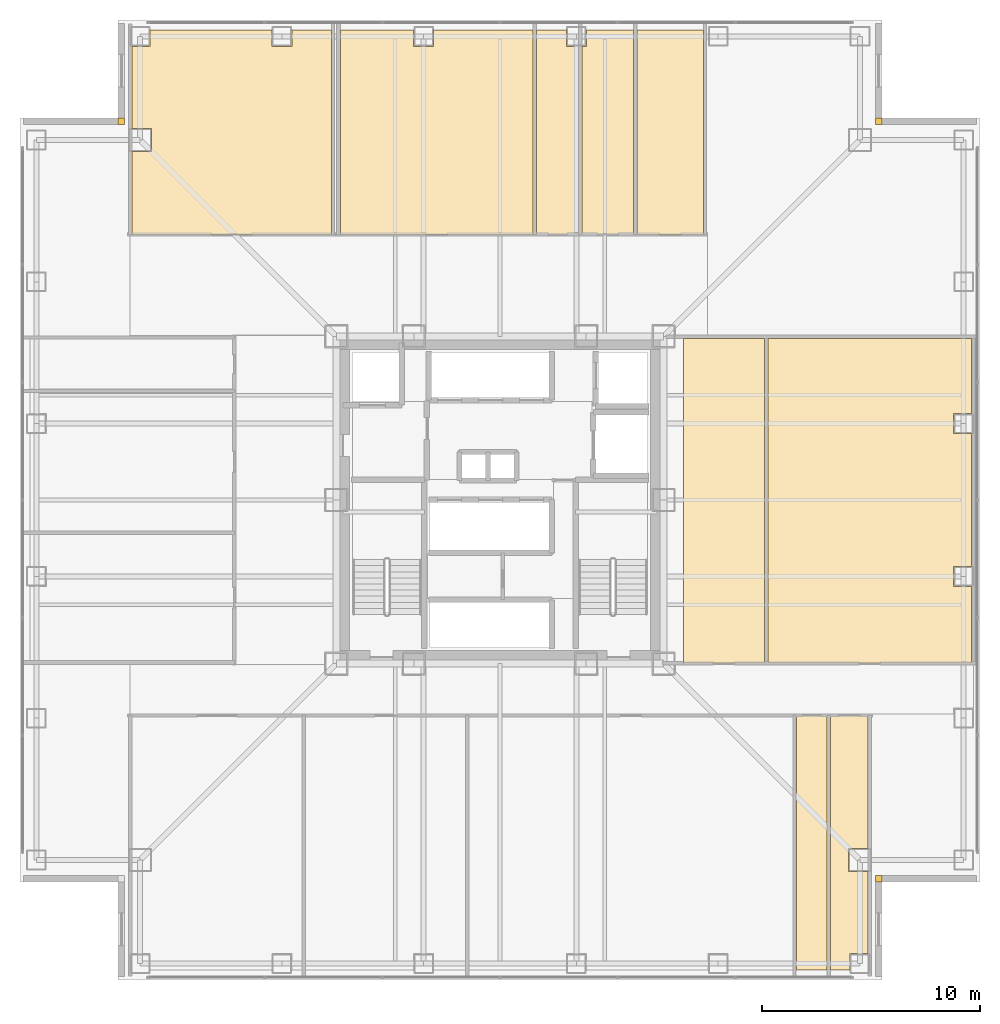
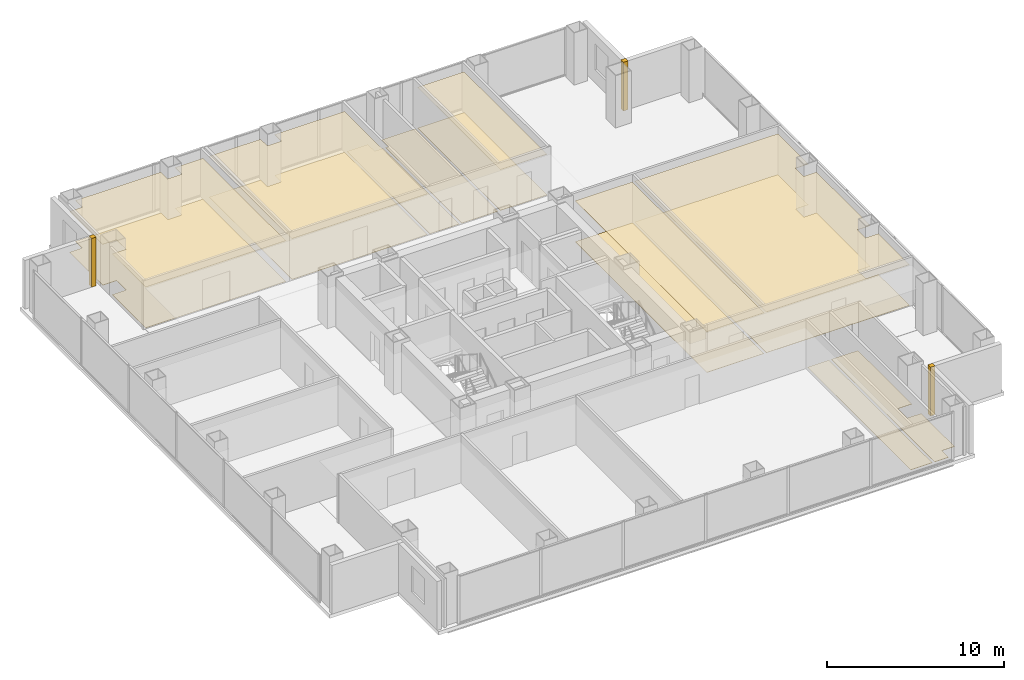
# One storey, part 14 of 14: 17 coverings.
"""IFC4 building model written with IfcOpenShell, lengths in metres."""

from ifc_helpers import new_model, si_unit, direction, frame, origin, place, context, subcontext, project, spatial, polyline, outline, extrude, material, layer, layer_set, type_object, element, save


model = new_model("IFC4")

# Units and contexts
model_context = context("Model", 3, precision=1e-05, world=origin(), true_north=direction((0.0, 1.0)))
body_context = subcontext(model_context, "Body", "Model", "MODEL_VIEW")
ifc_project = project(units=[si_unit("LENGTHUNIT", "METRE"), si_unit("AREAUNIT", "SQUARE_METRE"), si_unit("VOLUMEUNIT", "CUBIC_METRE"), si_unit("PLANEANGLEUNIT", "RADIAN"), si_unit("MASSUNIT", "GRAM", prefix="KILO")], contexts=[model_context])

# Site, building, storey
site_placement = place(None, origin())
site = spatial("IfcSite", under=ifc_project, at=site_placement, CompositionType="ELEMENT")
building_placement = place(site_placement, origin())
building = spatial("IfcBuilding", under=site, at=building_placement, Name="Trevonay Congress Spire", CompositionType="ELEMENT")
storey_placement = place(building_placement, frame((0.0, 0.0, 97.60009765625)))
storey = spatial("IfcBuildingStorey", under=building, at=storey_placement, Name="L24", CompositionType="ELEMENT", Elevation=97.60009765625)

# Coverings
ifc_material_1 = material(Name="Acoustic Mineral Fibre Board", Category="gypsum")
ifc_layer_1 = layer(ifc_material_1, 0.02490234375, Name="Acoustic Mineral Fibre Board")
ifc_layer_set_1 = layer_set([ifc_layer_1], Name="Acoustic Mineral Fibre Board")
covering_type_1 = type_object("IfcCoveringType", Name="COV-CEIL-ACOUSTIC", PredefinedType="CEILING", material=ifc_layer_set_1)
covering_1_placement = place(storey_placement, frame((0.0, 0.0, 2.809814453125)))
element("IfcCovering", 1, at=covering_1_placement, inside=storey, type_object=covering_type_1, Name="L24 Treaty Seminar Salon North-West acoustic suspended ceiling", PredefinedType="CEILING", context=body_context, shape_type="SweptSolid", body=[
    extrude(outline(polyline([(-7.72998046875, 21.550048828125), (-7.72998046875, 12.179931640625), (-16.8701171875, 12.179931640625), (-16.8701171875, 15.965087890625), (-15.965087890625, 15.965087890625), (-15.965087890625, 17.034912109375), (-16.8701171875, 17.034912109375), (-16.8701171875, 20.7900390625), (-16.0400390625, 20.7900390625), (-16.0400390625, 21.550048828125), (-10.4599609375, 21.550048828125), (-10.4599609375, 20.7900390625), (-9.5400390625, 20.7900390625), (-9.5400390625, 21.550048828125), (-7.72998046875, 21.550048828125)])), origin(), (0.0, 0.0, 1.0), 0.025146484375),
])
covering_2_placement = place(storey_placement, frame((0.0, 0.0, 2.809814453125)))
element("IfcCovering", 2, at=covering_2_placement, inside=storey, type_object=covering_type_1, Name="L24 North-East Policy Research Studio acoustic suspended ceiling", PredefinedType="CEILING", context=body_context, shape_type="SweptSolid", body=[
    extrude(outline(polyline([(1.52001953125, 21.550048828125), (1.52001953125, 12.179931640625), (-7.320068359375, 12.179931640625), (-7.320068359375, 21.550048828125), (-3.9599609375, 21.550048828125), (-3.9599609375, 20.7900390625), (-3.0400390625, 20.7900390625), (-3.0400390625, 21.550048828125), (1.52001953125, 21.550048828125)])), origin(), (0.0, 0.0, 1.0), 0.025146484375),
])
covering_3_placement = place(storey_placement, frame((0.0, 0.0, 2.809814453125)))
element("IfcCovering", 3, at=covering_3_placement, inside=storey, type_object=covering_type_1, Name="L24 Tea Pantry acoustic suspended ceiling", PredefinedType="CEILING", context=body_context, shape_type="SweptSolid", body=[
    extrude(outline(polyline([(6.280029296875, 12.179931640625), (9.320068359375, 12.179931640625), (9.320068359375, 21.550048828125), (6.280029296875, 21.550048828125), (6.280029296875, 12.179931640625)])), origin(), (0.0, 0.0, 1.0), 0.025146484375),
])
covering_4_placement = place(storey_placement, frame((0.0, 0.0, 2.809814453125)))
element("IfcCovering", 4, at=covering_4_placement, inside=storey, type_object=covering_type_1, Name="L24 East Diplomatic Briefing Room acoustic suspended ceiling", PredefinedType="CEILING", context=body_context, shape_type="SweptSolid", body=[
    extrude(outline(polyline([(8.39990234375, -7.47998046875), (12.1201171875, -7.47998046875), (12.1201171875, 7.39990234375), (8.39990234375, 7.39990234375), (8.39990234375, -7.47998046875)])), origin(), (0.0, 0.0, 1.0), 0.025146484375),
])
covering_5_placement = place(storey_placement, frame((0.0, 0.0, 2.809814453125)))
element("IfcCovering", 5, at=covering_5_placement, inside=storey, type_object=covering_type_1, Name="L24 Document Print Office acoustic suspended ceiling", PredefinedType="CEILING", context=body_context, shape_type="SweptSolid", body=[
    extrude(outline(polyline([(21.6201171875, -7.47998046875), (12.280029296875, -7.47998046875), (12.280029296875, 7.39990234375), (21.6201171875, 7.39990234375), (21.6201171875, 3.9599609375), (20.7900390625, 3.9599609375), (20.7900390625, 3.0400390625), (21.6201171875, 3.0400390625), (21.6201171875, -3.0400390625), (20.7900390625, -3.0400390625), (20.7900390625, -3.9599609375), (21.6201171875, -3.9599609375), (21.6201171875, -7.47998046875)])), origin(), (0.0, 0.0, 1.0), 0.025146484375),
])
ifc_material_2 = material(Name="Polished Granite Floor Tile", Category="masonry")
ifc_layer_2 = layer(ifc_material_2, 0.02001953125, Name="Polished Granite Floor Tile")
ifc_layer_set_2 = layer_set([ifc_layer_2], Name="Polished Granite Floor Tile")
covering_type_2 = type_object("IfcCoveringType", Name="COV-FLOOR-STONE", PredefinedType="FLOORING", material=ifc_layer_set_2)
covering_6_placement = place(storey_placement, origin())
element("IfcCovering", 6, at=covering_6_placement, inside=storey, type_object=covering_type_2, Name="L24 Accessible WC floor finish", PredefinedType="FLOORING", context=body_context, shape_type="SweptSolid", body=[
    extrude(outline(polyline([(13.580078125, -21.550048828125), (14.97998046875, -21.550048828125), (14.97998046875, -9.8798828125), (13.580078125, -9.8798828125), (13.580078125, -21.550048828125)])), origin(), (0.0, 0.0, 1.0), 0.02001953125),
])
covering_7_placement = place(storey_placement, origin())
element("IfcCovering", 7, at=covering_7_placement, inside=storey, type_object=covering_type_2, Name="L24 Floor Supplies and Copy Room floor finish", PredefinedType="FLOORING", context=body_context, shape_type="SweptSolid", body=[
    extrude(outline(polyline([(15.139892578125, -21.550048828125), (15.139892578125, -9.8798828125), (16.8701171875, -9.8798828125), (16.8701171875, -15.965087890625), (15.965087890625, -15.965087890625), (15.965087890625, -17.034912109375), (16.8701171875, -17.034912109375), (16.8701171875, -20.7900390625), (16.0400390625, -20.7900390625), (16.0400390625, -21.550048828125), (15.139892578125, -21.550048828125)])), origin(), (0.0, 0.0, 1.0), 0.02001953125),
])
covering_8_placement = place(storey_placement, origin())
element("IfcCovering", 8, at=covering_8_placement, inside=storey, type_object=covering_type_2, Name="L24 Female Restroom WC floor finish", PredefinedType="FLOORING", context=body_context, shape_type="SweptSolid", body=[
    extrude(outline(polyline([(3.60009765625, 12.179931640625), (1.679931640625, 12.179931640625), (1.679931640625, 21.550048828125), (3.0400390625, 21.550048828125), (3.0400390625, 20.7900390625), (3.60009765625, 20.7900390625), (3.60009765625, 12.179931640625)])), origin(), (0.0, 0.0, 1.0), 0.02001953125),
])
covering_9_placement = place(storey_placement, origin())
element("IfcCovering", 9, at=covering_9_placement, inside=storey, type_object=covering_type_2, Name="L24 Floor Supplies and Copy Room floor finish", PredefinedType="FLOORING", context=body_context, shape_type="SweptSolid", body=[
    extrude(outline(polyline([(6.1201171875, 21.550048828125), (6.1201171875, 12.179931640625), (3.760009765625, 12.179931640625), (3.760009765625, 20.7900390625), (3.9599609375, 20.7900390625), (3.9599609375, 21.550048828125), (6.1201171875, 21.550048828125)])), origin(), (0.0, 0.0, 1.0), 0.02001953125),
])
covering_10_placement = place(storey_placement, origin())
element("IfcCovering", 10, at=covering_10_placement, inside=storey, type_object=covering_type_2, Name="L24 Tea Pantry floor finish", PredefinedType="FLOORING", context=body_context, shape_type="SweptSolid", body=[
    extrude(outline(polyline([(6.280029296875, 12.179931640625), (9.320068359375, 12.179931640625), (9.320068359375, 21.550048828125), (6.280029296875, 21.550048828125), (6.280029296875, 12.179931640625)])), origin(), (0.0, 0.0, 1.0), 0.02001953125),
])
ifc_material_3 = material(Name="Engineered Oak Flooring", Category="wood")
ifc_layer_3 = layer(ifc_material_3, 0.01806640625, Name="Engineered Oak Flooring")
ifc_layer_set_3 = layer_set([ifc_layer_3], Name="Engineered Oak Flooring")
covering_type_3 = type_object("IfcCoveringType", Name="COV-FLOOR-TIMBER", PredefinedType="FLOORING", material=ifc_layer_set_3)
covering_11_placement = place(storey_placement, origin())
element("IfcCovering", 11, at=covering_11_placement, inside=storey, type_object=covering_type_3, Name="L24 Treaty Seminar Salon North-West floor finish", PredefinedType="FLOORING", context=body_context, shape_type="SweptSolid", body=[
    extrude(outline(polyline([(-7.72998046875, 21.550048828125), (-7.72998046875, 12.179931640625), (-16.8701171875, 12.179931640625), (-16.8701171875, 15.965087890625), (-15.965087890625, 15.965087890625), (-15.965087890625, 17.034912109375), (-16.8701171875, 17.034912109375), (-16.8701171875, 20.7900390625), (-16.0400390625, 20.7900390625), (-16.0400390625, 21.550048828125), (-10.4599609375, 21.550048828125), (-10.4599609375, 20.7900390625), (-9.5400390625, 20.7900390625), (-9.5400390625, 21.550048828125), (-7.72998046875, 21.550048828125)])), origin(), (0.0, 0.0, 1.0), 0.017822265625),
])
covering_12_placement = place(storey_placement, origin())
element("IfcCovering", 12, at=covering_12_placement, inside=storey, type_object=covering_type_3, Name="L24 North-East Policy Research Studio floor finish", PredefinedType="FLOORING", context=body_context, shape_type="SweptSolid", body=[
    extrude(outline(polyline([(1.52001953125, 21.550048828125), (1.52001953125, 12.179931640625), (-7.320068359375, 12.179931640625), (-7.320068359375, 21.550048828125), (-3.9599609375, 21.550048828125), (-3.9599609375, 20.7900390625), (-3.0400390625, 20.7900390625), (-3.0400390625, 21.550048828125), (1.52001953125, 21.550048828125)])), origin(), (0.0, 0.0, 1.0), 0.017822265625),
])
covering_13_placement = place(storey_placement, origin())
element("IfcCovering", 13, at=covering_13_placement, inside=storey, type_object=covering_type_3, Name="L24 East Diplomatic Briefing Room floor finish", PredefinedType="FLOORING", context=body_context, shape_type="SweptSolid", body=[
    extrude(outline(polyline([(8.39990234375, -7.47998046875), (12.1201171875, -7.47998046875), (12.1201171875, 7.39990234375), (8.39990234375, 7.39990234375), (8.39990234375, -7.47998046875)])), origin(), (0.0, 0.0, 1.0), 0.017822265625),
])
covering_14_placement = place(storey_placement, origin())
element("IfcCovering", 14, at=covering_14_placement, inside=storey, type_object=covering_type_3, Name="L24 Document Print Office floor finish", PredefinedType="FLOORING", context=body_context, shape_type="SweptSolid", body=[
    extrude(outline(polyline([(21.6201171875, -7.47998046875), (12.280029296875, -7.47998046875), (12.280029296875, 7.39990234375), (21.6201171875, 7.39990234375), (21.6201171875, 3.9599609375), (20.7900390625, 3.9599609375), (20.7900390625, 3.0400390625), (21.6201171875, 3.0400390625), (21.6201171875, -3.0400390625), (20.7900390625, -3.0400390625), (20.7900390625, -3.9599609375), (21.6201171875, -3.9599609375), (21.6201171875, -7.47998046875)])), origin(), (0.0, 0.0, 1.0), 0.017822265625),
])
ifc_material_4 = material(Name="Pale Anodised Aluminium EN AW-6063-T6", Category="aluminium")
ifc_layer_4 = layer(ifc_material_4, 0.0400390625, Name="Pale Anodised Aluminium EN AW-6063-T6")
ifc_layer_set_4 = layer_set([ifc_layer_4], Name="Pale Anodised Aluminium EN AW-6063-T6")
covering_type_4 = type_object("IfcCoveringType", Name="COV-SPANDREL-PALE-METAL", PredefinedType="CLADDING", material=ifc_layer_set_4)
covering_15_placement = place(storey_placement, origin())
element("IfcCovering", 15, at=covering_15_placement, inside=storey, type_object=covering_type_4, Name="L24 SE re-entrant notch corner closure trim", PredefinedType="CLADDING", context=body_context, shape_type="SweptSolid", body=[
    extrude(outline(polyline([(17.199951171875, -17.5), (17.5, -17.5), (17.5, -17.199951171875), (17.199951171875, -17.199951171875), (17.199951171875, -17.5)])), origin(), (0.0, 0.0, 1.0), 3.35986328125),
])
covering_16_placement = place(storey_placement, origin())
element("IfcCovering", 16, at=covering_16_placement, inside=storey, type_object=covering_type_4, Name="L24 NE re-entrant notch corner closure trim", PredefinedType="CLADDING", context=body_context, shape_type="SweptSolid", body=[
    extrude(outline(polyline([(17.199951171875, 17.199951171875), (17.5, 17.199951171875), (17.5, 17.5), (17.199951171875, 17.5), (17.199951171875, 17.199951171875)])), origin(), (0.0, 0.0, 1.0), 3.35986328125),
])
covering_17_placement = place(storey_placement, origin())
element("IfcCovering", 17, at=covering_17_placement, inside=storey, type_object=covering_type_4, Name="L24 NW re-entrant notch corner closure trim", PredefinedType="CLADDING", context=body_context, shape_type="SweptSolid", body=[
    extrude(outline(polyline([(-17.5, 17.199951171875), (-17.199951171875, 17.199951171875), (-17.199951171875, 17.5), (-17.5, 17.5), (-17.5, 17.199951171875)])), origin(), (0.0, 0.0, 1.0), 3.35986328125),
])

save(model, "model.ifc")
